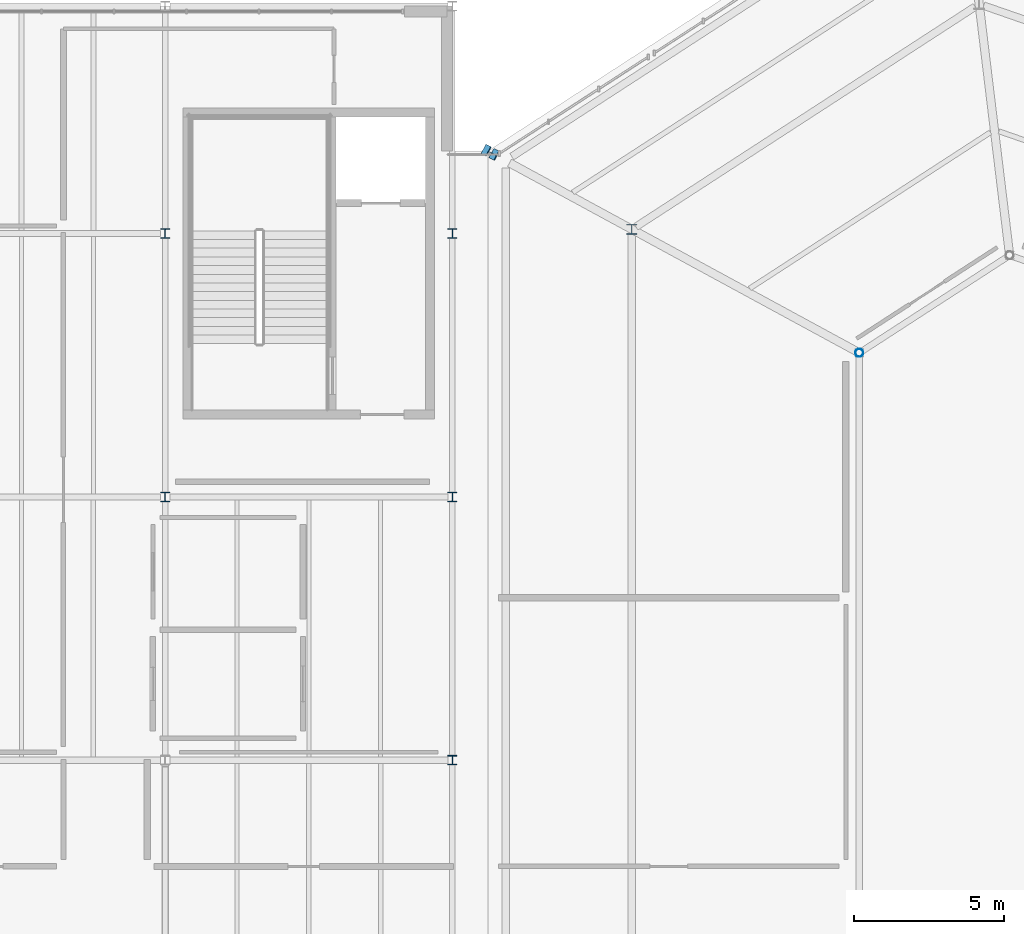
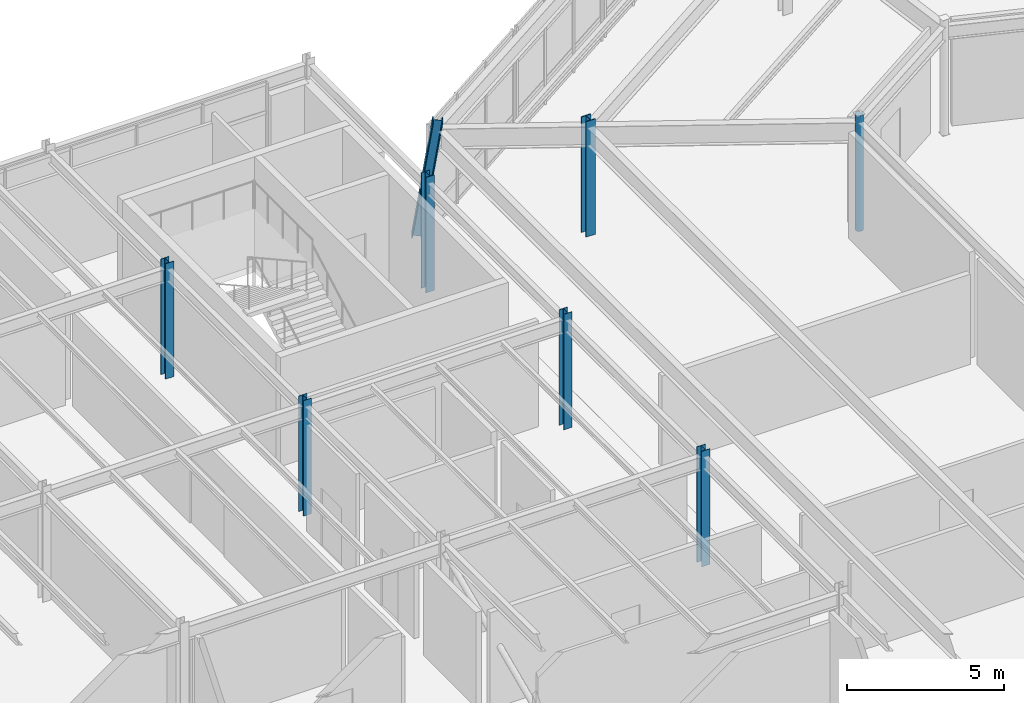
# One storey, part 12 of 69: 8 columns.
"""IFC4 building model written with IfcOpenShell, lengths in metres."""

from ifc_helpers import new_model, si_unit, direction, frame, origin, origin_2d, place, context, subcontext, project, spatial, hollow_circle, i_section, extrude, material, material_profile, profile_set, type_object, element, save


model = new_model("IFC4")

# Units and contexts
model_context = context("Model", 3, precision=1e-05, world=origin(), true_north=direction((0.0, 1.0)))
body_context = subcontext(model_context, "Body", "Model", "MODEL_VIEW")
ifc_project = project(units=[si_unit("LENGTHUNIT", "METRE"), si_unit("AREAUNIT", "SQUARE_METRE"), si_unit("VOLUMEUNIT", "CUBIC_METRE"), si_unit("PLANEANGLEUNIT", "RADIAN"), si_unit("MASSUNIT", "GRAM", prefix="KILO")], contexts=[model_context])

# Site, building, storey
site_placement = place(None, origin())
site = spatial("IfcSite", under=ifc_project, at=site_placement, CompositionType="ELEMENT")
building_placement = place(site_placement, origin())
building = spatial("IfcBuilding", under=site, at=building_placement, Name="Sarnbrook Museum", CompositionType="ELEMENT")
storey_placement = place(building_placement, frame((0.0, 0.0, 14.60009765625)))
storey = spatial("IfcBuildingStorey", under=building, at=storey_placement, Name="L03", CompositionType="ELEMENT", Elevation=14.60009765625)

# Columns
ifc_material_1 = material(Name="Structural Steel Hollow Section Grade C350L0 (AS/NZS 1163, fy = 350 MPa)", Category="steel")
ifc_material_profile_1 = material_profile(ifc_material_1, hollow_circle(Radius=0.136474609375, WallThickness=0.00927734375, at=origin_2d()), Name="273.1x9.3CHS")
ifc_profile_set_1 = profile_set([ifc_material_profile_1], Name="Structural Steel Hollow Section Grade C350L0 (AS/NZS 1163, fy = 350 MPa)")
column_type_1 = type_object("IfcColumnType", Name="COL-CHS273", PredefinedType="COLUMN", material=ifc_profile_set_1)
column_1_placement = place(storey_placement, frame((132.800048828125, 96.81201171875, 0.0), z_axis=(0.0, 0.0, 1.0), x_axis=(1.0, 0.0, 0.0)))
element("IfcColumn", 1, at=column_1_placement, inside=storey, type_object=column_type_1, Name="Crystal Gallery Feature Column R2-7 L03", PredefinedType="COLUMN", context=body_context, shape_type="SweptSolid", body=[
    extrude(hollow_circle(Radius=0.136474609375, WallThickness=0.00927734375, at=origin_2d()), origin(), (0.0, 0.0, 1.0), 4.5),
])
ifc_material_2 = material(Name="Structural Steel Grade 300PLUS (AS/NZS 3679.1, fy = 280 MPa for 17 < t <= 40 mm, 300 MPa for t <= 17 mm)", Category="steel")
ifc_material_profile_2 = material_profile(ifc_material_2, i_section(OverallWidth=0.306884765625, OverallDepth=0.31494140625, WebThickness=0.011962890625, FlangeThickness=0.018798828125, FilletRadius=0.0166015625, at=origin_2d()), Name="310UC118")
ifc_profile_set_2 = profile_set([ifc_material_profile_2], Name="Structural Steel Grade 300PLUS (AS/NZS 3679.1, fy = 280 MPa for 17 < t <= 40 mm, 300 MPa for t <= 17 mm)")
column_type_2 = type_object("IfcColumnType", Name="COL-UC310", PredefinedType="COLUMN", material=ifc_profile_set_2)
for number, where, z_axis, x_axis, name in (
    (2, (109.60009765625, 92.0, 0.0), (0.0, 0.0, 1.0), (1.0, 0.0, 0.0), "Column 12-L L03"),
    (3, (109.60009765625, 100.800048828125, 0.0), (0.0, 0.0, 1.0), (1.0, 0.0, 0.0), "Column 12-M L03"),
    (4, (119.199951171875, 83.199951171875, 0.0), (0.0, 0.0, 1.0), (1.0, 0.0, 0.0), "Column 13-K L03"),
    (5, (119.199951171875, 92.0, 0.0), (0.0, 0.0, 1.0), (1.0, 0.0, 0.0), "Column 13-L L03"),
    (6, (119.199951171875, 100.800048828125, 0.0), (0.0, 0.0, 1.0), (1.0, 0.0, 0.0), "Column 13-M L03"),
):
    element("IfcColumn", number, at=place(storey_placement, frame(where, z_axis=z_axis, x_axis=x_axis)), inside=storey, type_object=column_type_2, Name=name, PredefinedType="COLUMN", context=body_context, shape_type="SweptSolid", body=[
        extrude(i_section(OverallWidth=0.306884765625, OverallDepth=0.31494140625, WebThickness=0.011962890625, FlangeThickness=0.018798828125, FilletRadius=0.0166015625, at=origin_2d()), origin(), (0.0, 0.0, 1.0), 4.5),
    ])
ifc_material_3 = material(Name="Structural Steel Grade 350L0 (AS/NZS 3678, fy = 340 MPa for 20 < t <= 40 mm)", Category="steel")
ifc_material_profile_3 = material_profile(ifc_material_3, i_section(OverallWidth=0.35009765625, OverallDepth=0.3310546875, WebThickness=0.02001953125, FlangeThickness=0.028076171875, at=origin_2d()), Name="350WC197")
ifc_profile_set_3 = profile_set([ifc_material_profile_3], Name="Structural Steel Grade 350L0 (AS/NZS 3678, fy = 340 MPa for 20 < t <= 40 mm)")
column_type_3 = type_object("IfcColumnType", Name="COL-WC350", PredefinedType="COLUMN", material=ifc_profile_set_3)
column_2_placement = place(storey_placement, frame((120.385009765625, 103.556396484375, 0.0), z_axis=(0.130166770015, -0.070717148755, 0.988966984715), x_axis=(0.47737958764, 0.878697177249, 0.0)))
element("IfcColumn", 7, at=column_2_placement, inside=storey, type_object=column_type_3, Name="Raking Crystal Rib Column V7 L03", PredefinedType="COLUMN", context=body_context, shape_type="SweptSolid", body=[
    extrude(i_section(OverallWidth=0.35009765625, OverallDepth=0.3310546875, WebThickness=0.02001953125, FlangeThickness=0.028076171875, at=origin_2d()), origin(), (0.0, 0.0, 1.0), 4.55029296875),
])
column_3_placement = place(storey_placement, frame((125.199951171875, 100.940673828125, 0.0), z_axis=(0.0, 0.0, 1.0), x_axis=(1.0, 0.0, 0.0)))
element("IfcColumn", 8, at=column_3_placement, inside=storey, type_object=column_type_3, Name="Crystal Hall Ring Column R1-7 L03", PredefinedType="COLUMN", context=body_context, shape_type="SweptSolid", body=[
    extrude(i_section(OverallWidth=0.35009765625, OverallDepth=0.3310546875, WebThickness=0.02001953125, FlangeThickness=0.028076171875, at=origin_2d()), origin(), (0.0, 0.0, 1.0), 4.5),
])

save(model, "model.ifc")
